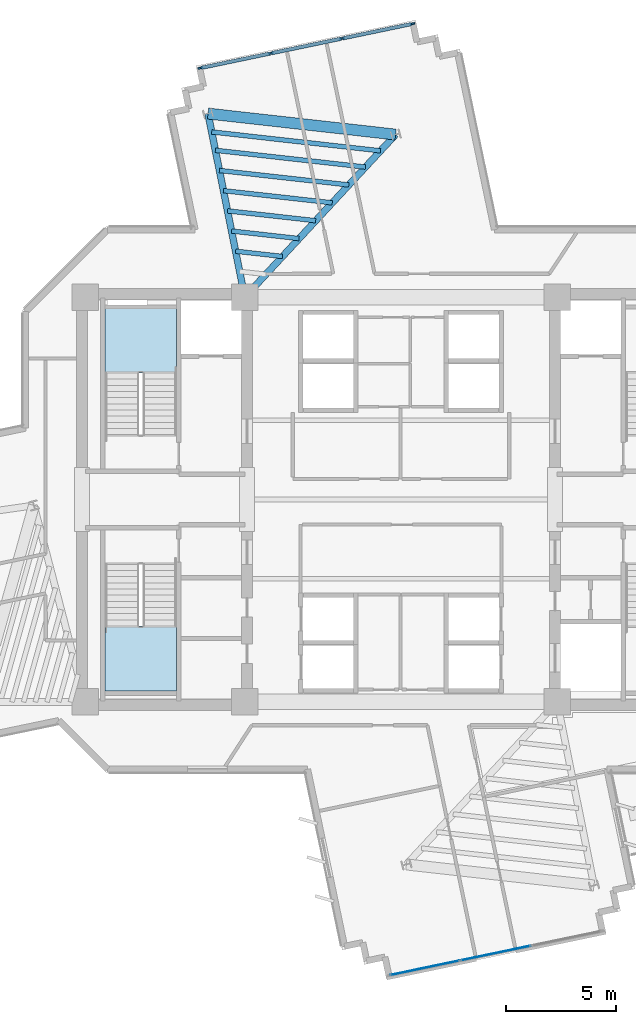
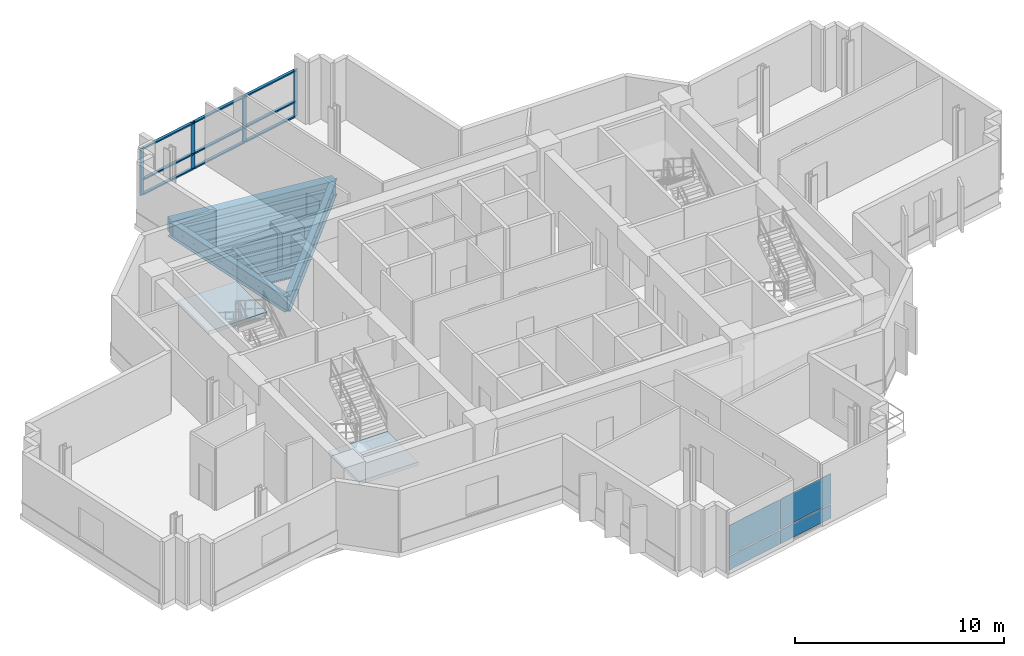
# One storey, part 5 of 14: 13 members, 10 beams, 4 plates, 2 slabs, 4 elements without a shape of their own.
"""IFC4 building model written with IfcOpenShell, lengths in metres."""

from ifc_helpers import new_model, si_unit, direction, frame, origin, origin_2d, place, context, subcontext, project, spatial, polyline, rectangle, i_section, outline, extrude, source, transform, mapped, material, layer, layer_set, material_profile, profile_set, type_object, element, aggregate, save


model = new_model("IFC4")

# Units and contexts
model_context = context("Model", 3, precision=1e-05, world=origin(), true_north=direction((0.0, 1.0)))
body_context = subcontext(model_context, "Body", "Model", "MODEL_VIEW")
ifc_project = project(units=[si_unit("LENGTHUNIT", "METRE"), si_unit("AREAUNIT", "SQUARE_METRE"), si_unit("VOLUMEUNIT", "CUBIC_METRE"), si_unit("PLANEANGLEUNIT", "RADIAN"), si_unit("MASSUNIT", "GRAM", prefix="KILO")], contexts=[model_context])

# Site, building, storey
site_placement = place(None, origin())
site = spatial("IfcSite", under=ifc_project, at=site_placement, CompositionType="ELEMENT")
building_placement = place(site_placement, origin())
building = spatial("IfcBuilding", under=site, at=building_placement, Name="Zahravan Cultural Tower", CompositionType="ELEMENT")
storey_placement = place(building_placement, frame((0.0, 0.0, 166.800048828125)))
storey = spatial("IfcBuildingStorey", under=building, at=storey_placement, Name="L38", CompositionType="ELEMENT", Elevation=166.800048828125)

# Beams
ifc_material_1 = material(Name="Steel ASTM A992 Grade 50", Category="steel")
ifc_material_profile_1 = material_profile(ifc_material_1, i_section(OverallWidth=0.304931640625, OverallDepth=0.9189453125, WebThickness=0.017333984375, FlangeThickness=0.02783203125, FilletRadius=0.02392578125, at=origin_2d()), Name="W36X170")
ifc_profile_set_1 = profile_set([ifc_material_profile_1], Name="Steel ASTM A992 Grade 50")
beam_type_1 = type_object("IfcBeamType", Name="BM-G-W36X170", PredefinedType="BEAM", material=ifc_profile_set_1)
shared_shape_1 = source(origin(), body_context, "Body", "SweptSolid", [
    extrude(i_section(OverallWidth=0.304931640625, OverallDepth=0.9189453125, WebThickness=0.017333984375, FlangeThickness=0.02783203125, FilletRadius=0.02392578125, at=origin_2d()), origin(), (0.0, 0.0, 1.0), 10.077880859375),
])
beam_1_placement = place(storey_placement, frame((28.89990234375, 36.199951171875, -0.739501953125), z_axis=(0.680170435587, 0.733054007938, 0.0), x_axis=(-0.733054007938, 0.680170435587, 0.0)))
element("IfcBeam", 1, at=beam_1_placement, inside=storey, type_object=beam_type_1, Name="L38 Beam BG-L38-13", PredefinedType="BEAM", context=body_context, shape_type="MappedRepresentation", body=[
    mapped(shared_shape_1, transform((0.0, 0.0, 0.0), x_axis=(1.0, 0.0, 0.0), y_axis=(0.0, 1.0, 0.0), z_axis=(0.0, 0.0, 1.0), scale=1.0)),
])
shared_shape_2 = source(origin(), body_context, "Body", "SweptSolid", [
    extrude(i_section(OverallWidth=0.304931640625, OverallDepth=0.9189453125, WebThickness=0.017333984375, FlangeThickness=0.02783203125, FilletRadius=0.02392578125, at=origin_2d()), origin(), (0.0, 0.0, 1.0), 8.50732421875),
])
beam_2_placement = place(storey_placement, frame((28.89990234375, 36.199951171875, -0.739501953125), z_axis=(-0.196524514012, 0.980498911469, 0.0), x_axis=(-0.980498911469, -0.196524514012, 0.0)))
element("IfcBeam", 2, at=beam_2_placement, inside=storey, type_object=beam_type_1, Name="L38 Beam BG-L38-14", PredefinedType="BEAM", context=body_context, shape_type="MappedRepresentation", body=[
    mapped(shared_shape_2, transform((0.0, 0.0, 0.0), x_axis=(1.0, 0.0, 0.0), y_axis=(0.0, 1.0, 0.0), z_axis=(0.0, 0.0, 1.0), scale=1.0)),
])
ifc_material_2 = material(Name="Concrete C50/60", Category="concrete")
ifc_material_profile_2 = material_profile(ifc_material_2, rectangle(XDim=0.5, YDim=0.85009765625, at=origin_2d()), Name="RC500X850")
ifc_profile_set_2 = profile_set([ifc_material_profile_2], Name="Concrete C50/60")
beam_type_2 = type_object("IfcBeamType", Name="BM-SP-RC500X850", PredefinedType="SPANDREL", material=ifc_profile_set_2)
shared_shape_3 = source(origin(), body_context, "Body", "SweptSolid", [
    extrude(rectangle(XDim=0.5, YDim=0.85009765625, at=origin_2d()), origin(), (0.0, 0.0, 1.0), 8.579833984375),
])
beam_3_placement = place(storey_placement, frame((35.754638671875, 43.587646484375, -0.705078125), z_axis=(-0.9938040105, 0.11114669907, 0.0), x_axis=(-0.11114669907, -0.9938040105, 0.0)))
element("IfcBeam", 3, at=beam_3_placement, inside=storey, type_object=beam_type_2, Name="L38 Beam SP-L38-22", PredefinedType="SPANDREL", context=body_context, shape_type="MappedRepresentation", body=[
    mapped(shared_shape_3, transform((0.0, 0.0, 0.0), x_axis=(1.0, 0.0, 0.0), y_axis=(0.0, 1.0, 0.0), z_axis=(0.0, 0.0, 1.0), scale=1.0)),
])
ifc_material_profile_3 = material_profile(ifc_material_1, i_section(OverallWidth=0.2099609375, OverallDepth=0.532958984375, WebThickness=0.01025390625, FlangeThickness=0.015625, FilletRadius=0.013916015625, at=origin_2d()), Name="W21X62")
ifc_profile_set_3 = profile_set([ifc_material_profile_3], Name="Steel ASTM A992 Grade 50")
beam_type_3 = type_object("IfcBeamType", Name="BM-J-W21X62", PredefinedType="JOIST", material=ifc_profile_set_3)
shared_shape_4 = source(origin(), body_context, "Body", "SweptSolid", [
    extrude(i_section(OverallWidth=0.2099609375, OverallDepth=0.532958984375, WebThickness=0.01025390625, FlangeThickness=0.015625, FilletRadius=0.013916015625, at=origin_2d()), origin(), (0.0, 0.0, 1.0), 2.144775390625),
])
beam_4_placement = place(storey_placement, frame((30.613525390625, 38.046875, -0.546630859375), z_axis=(-0.993797370806, 0.111206051, 0.0), x_axis=(-0.111206051, -0.993797370806, 0.0)))
element("IfcBeam", 4, at=beam_4_placement, inside=storey, type_object=beam_type_3, Name="L38 Beam BJ-L38-51", PredefinedType="JOIST", context=body_context, shape_type="MappedRepresentation", body=[
    mapped(shared_shape_4, transform((0.0, 0.0, 0.0), x_axis=(1.0, 0.0, 0.0), y_axis=(0.0, 1.0, 0.0), z_axis=(0.0, 0.0, 1.0), scale=1.0)),
])
shared_shape_5 = source(origin(), body_context, "Body", "SweptSolid", [
    extrude(i_section(OverallWidth=0.2099609375, OverallDepth=0.532958984375, WebThickness=0.01025390625, FlangeThickness=0.015625, FilletRadius=0.013916015625, at=origin_2d()), origin(), (0.0, 0.0, 1.0), 3.088623046875),
])
beam_5_placement = place(storey_placement, frame((31.36767578125, 38.859619140625, -0.546630859375), z_axis=(-0.993805407368, 0.111134208443, 0.0), x_axis=(-0.111134208443, -0.993805407368, 0.0)))
element("IfcBeam", 5, at=beam_5_placement, inside=storey, type_object=beam_type_3, Name="L38 Beam BJ-L38-52", PredefinedType="JOIST", context=body_context, shape_type="MappedRepresentation", body=[
    mapped(shared_shape_5, transform((0.0, 0.0, 0.0), x_axis=(1.0, 0.0, 0.0), y_axis=(0.0, 1.0, 0.0), z_axis=(0.0, 0.0, 1.0), scale=1.0)),
])
shared_shape_6 = source(origin(), body_context, "Body", "SweptSolid", [
    extrude(i_section(OverallWidth=0.2099609375, OverallDepth=0.532958984375, WebThickness=0.01025390625, FlangeThickness=0.015625, FilletRadius=0.013916015625, at=origin_2d()), origin(), (0.0, 0.0, 1.0), 4.0322265625),
])
beam_6_placement = place(storey_placement, frame((32.12158203125, 39.672119140625, -0.546630859375), z_axis=(-0.993802245601, 0.11116247855, 0.0), x_axis=(-0.11116247855, -0.993802245601, 0.0)))
element("IfcBeam", 6, at=beam_6_placement, inside=storey, type_object=beam_type_3, Name="L38 Beam BJ-L38-53", PredefinedType="JOIST", context=body_context, shape_type="MappedRepresentation", body=[
    mapped(shared_shape_6, transform((0.0, 0.0, 0.0), x_axis=(1.0, 0.0, 0.0), y_axis=(0.0, 1.0, 0.0), z_axis=(0.0, 0.0, 1.0), scale=1.0)),
])
shared_shape_7 = source(origin(), body_context, "Body", "SweptSolid", [
    extrude(i_section(OverallWidth=0.2099609375, OverallDepth=0.532958984375, WebThickness=0.01025390625, FlangeThickness=0.015625, FilletRadius=0.013916015625, at=origin_2d()), origin(), (0.0, 0.0, 1.0), 4.97607421875),
])
beam_7_placement = place(storey_placement, frame((32.875732421875, 40.48486328125, -0.546630859375), z_axis=(-0.993806308517, 0.111126149723, 0.0), x_axis=(-0.111126149723, -0.993806308517, 0.0)))
element("IfcBeam", 7, at=beam_7_placement, inside=storey, type_object=beam_type_3, Name="L38 Beam BJ-L38-54", PredefinedType="JOIST", context=body_context, shape_type="MappedRepresentation", body=[
    mapped(shared_shape_7, transform((0.0, 0.0, 0.0), x_axis=(1.0, 0.0, 0.0), y_axis=(0.0, 1.0, 0.0), z_axis=(0.0, 0.0, 1.0), scale=1.0)),
])
shared_shape_8 = source(origin(), body_context, "Body", "SweptSolid", [
    extrude(i_section(OverallWidth=0.2099609375, OverallDepth=0.532958984375, WebThickness=0.01025390625, FlangeThickness=0.015625, FilletRadius=0.013916015625, at=origin_2d()), origin(), (0.0, 0.0, 1.0), 5.919921875),
])
beam_8_placement = place(storey_placement, frame((33.629638671875, 41.29736328125, -0.546630859375), z_axis=(-0.993804520866, 0.111142135602, 0.0), x_axis=(-0.111142135602, -0.993804520866, 0.0)))
element("IfcBeam", 8, at=beam_8_placement, inside=storey, type_object=beam_type_3, Name="L38 Beam BJ-L38-55", PredefinedType="JOIST", context=body_context, shape_type="MappedRepresentation", body=[
    mapped(shared_shape_8, transform((0.0, 0.0, 0.0), x_axis=(1.0, 0.0, 0.0), y_axis=(0.0, 1.0, 0.0), z_axis=(0.0, 0.0, 1.0), scale=1.0)),
])
shared_shape_9 = source(origin(), body_context, "Body", "SweptSolid", [
    extrude(i_section(OverallWidth=0.2099609375, OverallDepth=0.532958984375, WebThickness=0.01025390625, FlangeThickness=0.015625, FilletRadius=0.013916015625, at=origin_2d()), origin(), (0.0, 0.0, 1.0), 6.86376953125),
])
beam_9_placement = place(storey_placement, frame((34.3837890625, 42.110107421875, -0.546630859375), z_axis=(-0.993803224695, 0.111153725024, 0.0), x_axis=(-0.111153725024, -0.993803224695, 0.0)))
element("IfcBeam", 9, at=beam_9_placement, inside=storey, type_object=beam_type_3, Name="L38 Beam BJ-L38-56", PredefinedType="JOIST", context=body_context, shape_type="MappedRepresentation", body=[
    mapped(shared_shape_9, transform((0.0, 0.0, 0.0), x_axis=(1.0, 0.0, 0.0), y_axis=(0.0, 1.0, 0.0), z_axis=(0.0, 0.0, 1.0), scale=1.0)),
])
shared_shape_10 = source(origin(), body_context, "Body", "SweptSolid", [
    extrude(i_section(OverallWidth=0.2099609375, OverallDepth=0.532958984375, WebThickness=0.01025390625, FlangeThickness=0.015625, FilletRadius=0.013916015625, at=origin_2d()), origin(), (0.0, 0.0, 1.0), 7.7216796875),
])
beam_10_placement = place(storey_placement, frame((35.069091796875, 42.848876953125, -0.546630859375), z_axis=(-0.993805212115, 0.11113595446, 0.0), x_axis=(-0.11113595446, -0.993805212115, 0.0)))
element("IfcBeam", 10, at=beam_10_placement, inside=storey, type_object=beam_type_3, Name="L38 Beam BJ-L38-57", PredefinedType="JOIST", context=body_context, shape_type="MappedRepresentation", body=[
    mapped(shared_shape_10, transform((0.0, 0.0, 0.0), x_axis=(1.0, 0.0, 0.0), y_axis=(0.0, 1.0, 0.0), z_axis=(0.0, 0.0, 1.0), scale=1.0)),
])

# Curtain wall, members
ifc_material_3 = material(Name="Anodised bronze-aluminium mullion", Category="aluminium")
ifc_layer_1 = layer(ifc_material_3, 0.219970703125)
ifc_layer_set_1 = layer_set([ifc_layer_1], Name="Anodised bronze-aluminium mullion")
curtain_wall_type_1 = type_object("IfcCurtainWallType", Name="CW-SYS-1", PredefinedType="USERDEFINED", material=ifc_layer_set_1)
curtain_wall_1_placement = place(storey_placement, origin())
curtain_wall_1 = element("IfcCurtainWall", 11, at=curtain_wall_1_placement, inside=storey, type_object=curtain_wall_type_1, Name="L38 Recessed Curtain Wall CW-1.2", ObjectType="RECESSED GLAZING", PredefinedType="USERDEFINED")
ifc_material_profile_4 = material_profile(ifc_material_3, rectangle(XDim=0.159912109375, YDim=0.080078125, at=origin_2d()), Name="AL-T80X160")
ifc_profile_set_4 = profile_set([ifc_material_profile_4], Name="Anodised bronze-aluminium mullion")
member_type_1 = type_object("IfcMemberType", Name="CWT-CW-1", PredefinedType="USERDEFINED", material=ifc_profile_set_4)
shared_shape_11 = source(origin(), body_context, "Body", "SweptSolid", [
    extrude(rectangle(XDim=0.159912109375, YDim=0.080078125, at=origin_2d()), origin(), (0.0, 0.0, 1.0), 3.186767578125),
])
member_1_placement = place(storey_placement, frame((26.923095703125, 46.6201171875, 0.0400390625), z_axis=(0.978935780904, 0.204168403202, 0.0), x_axis=(-0.204168403202, 0.978935780904, 0.0)))
member_1 = element("IfcMember", 12, at=member_1_placement, type_object=member_type_1, Name="CW-1 transom 1.1", ObjectType="TRANSOM", PredefinedType="USERDEFINED", context=body_context, shape_type="MappedRepresentation", body=[
    mapped(shared_shape_11, transform((0.0, 0.0, 0.0), x_axis=(1.0, 0.0, 0.0), y_axis=(0.0, 1.0, 0.0), z_axis=(0.0, 0.0, 1.0), scale=1.0)),
])
member_2_placement = place(storey_placement, frame((26.923095703125, 46.6201171875, 0.89990234375), z_axis=(0.978935780904, 0.204168403202, 0.0), x_axis=(-0.204168403202, 0.978935780904, 0.0)))
member_2 = element("IfcMember", 13, at=member_2_placement, type_object=member_type_1, Name="CW-1 transom 1.2", ObjectType="TRANSOM", PredefinedType="USERDEFINED", context=body_context, shape_type="MappedRepresentation", body=[
    mapped(shared_shape_11, transform((0.0, 0.0, 0.0), x_axis=(1.0, 0.0, 0.0), y_axis=(0.0, 1.0, 0.0), z_axis=(0.0, 0.0, 1.0), scale=1.0)),
])
member_3_placement = place(storey_placement, frame((26.923095703125, 46.6201171875, 2.699951171875), z_axis=(0.978935780904, 0.204168403202, 0.0), x_axis=(-0.204168403202, 0.978935780904, 0.0)))
member_3 = element("IfcMember", 14, at=member_3_placement, type_object=member_type_1, Name="CW-1 transom 1.3", ObjectType="TRANSOM", PredefinedType="USERDEFINED", context=body_context, shape_type="MappedRepresentation", body=[
    mapped(shared_shape_11, transform((0.0, 0.0, 0.0), x_axis=(1.0, 0.0, 0.0), y_axis=(0.0, 1.0, 0.0), z_axis=(0.0, 0.0, 1.0), scale=1.0)),
])
member_4_placement = place(storey_placement, frame((33.358154296875, 47.962158203125, 0.0400390625), z_axis=(0.978935780904, 0.204168403202, 0.0), x_axis=(-0.204168403202, 0.978935780904, 0.0)))
member_4 = element("IfcMember", 15, at=member_4_placement, type_object=member_type_1, Name="CW-1 transom 3.1", ObjectType="TRANSOM", PredefinedType="USERDEFINED", context=body_context, shape_type="MappedRepresentation", body=[
    mapped(shared_shape_11, transform((0.0, 0.0, 0.0), x_axis=(1.0, 0.0, 0.0), y_axis=(0.0, 1.0, 0.0), z_axis=(0.0, 0.0, 1.0), scale=1.0)),
])
member_5_placement = place(storey_placement, frame((33.358154296875, 47.962158203125, 0.89990234375), z_axis=(0.978935780904, 0.204168403202, 0.0), x_axis=(-0.204168403202, 0.978935780904, 0.0)))
member_5 = element("IfcMember", 16, at=member_5_placement, type_object=member_type_1, Name="CW-1 transom 3.2", ObjectType="TRANSOM", PredefinedType="USERDEFINED", context=body_context, shape_type="MappedRepresentation", body=[
    mapped(shared_shape_11, transform((0.0, 0.0, 0.0), x_axis=(1.0, 0.0, 0.0), y_axis=(0.0, 1.0, 0.0), z_axis=(0.0, 0.0, 1.0), scale=1.0)),
])
member_6_placement = place(storey_placement, frame((33.358154296875, 47.962158203125, 2.699951171875), z_axis=(0.978935780904, 0.204168403202, 0.0), x_axis=(-0.204168403202, 0.978935780904, 0.0)))
member_6 = element("IfcMember", 17, at=member_6_placement, type_object=member_type_1, Name="CW-1 transom 3.3", ObjectType="TRANSOM", PredefinedType="USERDEFINED", context=body_context, shape_type="MappedRepresentation", body=[
    mapped(shared_shape_11, transform((0.0, 0.0, 0.0), x_axis=(1.0, 0.0, 0.0), y_axis=(0.0, 1.0, 0.0), z_axis=(0.0, 0.0, 1.0), scale=1.0)),
])
ifc_material_profile_5 = material_profile(ifc_material_3, rectangle(XDim=0.080078125, YDim=0.219970703125, at=origin_2d()), Name="AL-M80X220")
ifc_profile_set_5 = profile_set([ifc_material_profile_5], Name="Anodised bronze-aluminium mullion")
member_type_2 = type_object("IfcMemberType", Name="CWM-CW-1", PredefinedType="MULLION", material=ifc_profile_set_5)
shared_shape_12 = source(origin(), body_context, "Body", "SweptSolid", [
    extrude(rectangle(XDim=0.080078125, YDim=0.219970703125, at=origin_2d()), origin(), (0.0, 0.0, 1.0), 2.739990234375),
])
member_7_placement = place(storey_placement, frame((26.884033203125, 46.612060546875, 0.0), z_axis=(0.0, 0.0, 1.0), x_axis=(-0.204162369415, 0.978937039301, 0.0)))
member_7 = element("IfcMember", 18, at=member_7_placement, type_object=member_type_2, Name="CW-1 mullion 1", PredefinedType="MULLION", context=body_context, shape_type="MappedRepresentation", body=[
    mapped(shared_shape_12, transform((0.0, 0.0, 0.0), x_axis=(1.0, 0.0, 0.0), y_axis=(0.0, 1.0, 0.0), z_axis=(0.0, 0.0, 1.0), scale=1.0)),
])
member_8_placement = place(storey_placement, frame((30.08203125, 47.27880859375, 0.0), z_axis=(0.0, 0.0, 1.0), x_axis=(-0.204162369415, 0.978937039301, 0.0)))
member_8 = element("IfcMember", 19, at=member_8_placement, type_object=member_type_2, Name="CW-1 mullion 2", PredefinedType="MULLION", context=body_context, shape_type="MappedRepresentation", body=[
    mapped(shared_shape_12, transform((0.0, 0.0, 0.0), x_axis=(1.0, 0.0, 0.0), y_axis=(0.0, 1.0, 0.0), z_axis=(0.0, 0.0, 1.0), scale=1.0)),
])
member_9_placement = place(storey_placement, frame((33.31884765625, 47.9541015625, 0.0), z_axis=(0.0, 0.0, 1.0), x_axis=(-0.204162369415, 0.978937039301, 0.0)))
member_9 = element("IfcMember", 20, at=member_9_placement, type_object=member_type_2, Name="CW-1 mullion 3", PredefinedType="MULLION", context=body_context, shape_type="MappedRepresentation", body=[
    mapped(shared_shape_12, transform((0.0, 0.0, 0.0), x_axis=(1.0, 0.0, 0.0), y_axis=(0.0, 1.0, 0.0), z_axis=(0.0, 0.0, 1.0), scale=1.0)),
])
member_10_placement = place(storey_placement, frame((36.516845703125, 48.620849609375, 0.0), z_axis=(0.0, 0.0, 1.0), x_axis=(-0.204162369415, 0.978937039301, 0.0)))
member_10 = element("IfcMember", 21, at=member_10_placement, type_object=member_type_2, Name="CW-1 mullion 4", PredefinedType="MULLION", context=body_context, shape_type="MappedRepresentation", body=[
    mapped(shared_shape_12, transform((0.0, 0.0, 0.0), x_axis=(1.0, 0.0, 0.0), y_axis=(0.0, 1.0, 0.0), z_axis=(0.0, 0.0, 1.0), scale=1.0)),
])
shared_shape_13 = source(origin(), body_context, "Body", "SweptSolid", [
    extrude(rectangle(XDim=0.159912109375, YDim=0.080078125, at=origin_2d()), origin(), (0.0, 0.0, 1.0), 3.2265625),
])
member_11_placement = place(storey_placement, frame((30.12109375, 47.287109375, 0.0400390625), z_axis=(0.978941373772, 0.204141584977, 0.0), x_axis=(-0.204141584977, 0.978941373772, 0.0)))
member_11 = element("IfcMember", 22, at=member_11_placement, type_object=member_type_1, Name="CW-1 transom 2.1", ObjectType="TRANSOM", PredefinedType="USERDEFINED", context=body_context, shape_type="MappedRepresentation", body=[
    mapped(shared_shape_13, transform((0.0, 0.0, 0.0), x_axis=(1.0, 0.0, 0.0), y_axis=(0.0, 1.0, 0.0), z_axis=(0.0, 0.0, 1.0), scale=1.0)),
])
member_12_placement = place(storey_placement, frame((30.12109375, 47.287109375, 0.89990234375), z_axis=(0.978941373772, 0.204141584977, 0.0), x_axis=(-0.204141584977, 0.978941373772, 0.0)))
member_12 = element("IfcMember", 23, at=member_12_placement, type_object=member_type_1, Name="CW-1 transom 2.2", ObjectType="TRANSOM", PredefinedType="USERDEFINED", context=body_context, shape_type="MappedRepresentation", body=[
    mapped(shared_shape_13, transform((0.0, 0.0, 0.0), x_axis=(1.0, 0.0, 0.0), y_axis=(0.0, 1.0, 0.0), z_axis=(0.0, 0.0, 1.0), scale=1.0)),
])
member_13_placement = place(storey_placement, frame((30.12109375, 47.287109375, 2.699951171875), z_axis=(0.978941373772, 0.204141584977, 0.0), x_axis=(-0.204141584977, 0.978941373772, 0.0)))
member_13 = element("IfcMember", 24, at=member_13_placement, type_object=member_type_1, Name="CW-1 transom 2.3", ObjectType="TRANSOM", PredefinedType="USERDEFINED", context=body_context, shape_type="MappedRepresentation", body=[
    mapped(shared_shape_13, transform((0.0, 0.0, 0.0), x_axis=(1.0, 0.0, 0.0), y_axis=(0.0, 1.0, 0.0), z_axis=(0.0, 0.0, 1.0), scale=1.0)),
])
aggregate(curtain_wall_1, [member_7, member_8, member_9, member_10, member_1, member_2, member_3, member_11, member_12, member_13, member_4, member_5, member_6])

# Stair, slab
ifc_material_4 = material(Name="Concrete C45/55", Category="concrete")
stair_type = type_object("IfcStairType", Name="STR-DL-1550-390", PredefinedType="HALF_TURN_STAIR", material=ifc_material_4)
stair_1_placement = place(storey_placement, origin())
stair_1 = element("IfcStair", 25, at=stair_1_placement, inside=storey, type_object=stair_type, Name="L38 West Core North Exit Stair ST-W1", PredefinedType="HALF_TURN_STAIR")
ifc_layer_2 = layer(ifc_material_4, 0.199951171875)
ifc_layer_set_2 = layer_set([ifc_layer_2], Name="Concrete C45/55")
slab_type = type_object("IfcSlabType", Name="SL-STAIR-LND200", PredefinedType="LANDING", material=ifc_layer_set_2)
slab_1_placement = place(storey_placement, frame((0.0, 0.0, 1.75)))
slab_1 = element("IfcSlab", 26, at=slab_1_placement, type_object=slab_type, Name="ST-W1 landing 1", PredefinedType="LANDING", context=body_context, shape_type="SweptSolid", body=[
    extrude(outline(polyline([(25.800048828125, 32.75), (25.800048828125, 35.699951171875), (22.550048828125, 35.699951171875), (22.550048828125, 32.75), (25.800048828125, 32.75)])), origin(), (0.0, 0.0, 1.0), 0.199951171875),
])
aggregate(stair_1, [slab_1])

stair_2_placement = place(storey_placement, origin())
stair_2 = element("IfcStair", 27, at=stair_2_placement, inside=storey, type_object=stair_type, Name="L38 West Core South Exit Stair ST-W2", PredefinedType="HALF_TURN_STAIR")
slab_2_placement = place(storey_placement, frame((0.0, 0.0, 1.75)))
slab_2 = element("IfcSlab", 28, at=slab_2_placement, type_object=slab_type, Name="ST-W2 landing 1", PredefinedType="LANDING", context=body_context, shape_type="SweptSolid", body=[
    extrude(outline(polyline([(22.550048828125, 21.25), (22.550048828125, 18.300048828125), (25.800048828125, 18.300048828125), (25.800048828125, 21.25), (22.550048828125, 21.25)])), origin(), (0.0, 0.0, 1.0), 0.199951171875),
])
aggregate(stair_2, [slab_2])

# Curtain wall, plates
ifc_layer_3 = layer(ifc_material_3, 0.1650390625)
ifc_layer_set_3 = layer_set([ifc_layer_3], Name="Anodised bronze-aluminium mullion")
curtain_wall_type_2 = type_object("IfcCurtainWallType", Name="CW-SYS-4", PredefinedType="USERDEFINED", material=ifc_layer_set_3)
curtain_wall_2_placement = place(storey_placement, origin())
curtain_wall_2 = element("IfcCurtainWall", 29, at=curtain_wall_2_placement, inside=storey, type_object=curtain_wall_type_2, Name="L38 Recessed Curtain Wall CW-4.1", ObjectType="RECESSED GLAZING", PredefinedType="USERDEFINED")
ifc_material_5 = material(Name="Low-E solar-control double glazing", Category="glass")
ifc_layer_4 = layer(ifc_material_5, 0.02587890625)
ifc_layer_set_4 = layer_set([ifc_layer_4], Name="Low-E solar-control double glazing")
plate_type = type_object("IfcPlateType", Name="CWP-CW-4", PredefinedType="CURTAIN_PANEL", material=ifc_layer_set_4)
shared_shape_14 = source(origin(), body_context, "Body", "SweptSolid", [
    extrude(rectangle(XDim=3.209228515625, YDim=0.02587890625, at=origin_2d()), origin(), (0.0, 0.0, 1.0), 0.802490234375),
])
plate_1_placement = place(storey_placement, frame((37.078369140625, 5.711669921875, 0.06494140625), z_axis=(0.0, 0.0, 1.0), x_axis=(-0.978937039301, -0.204162369415, 0.0)))
plate_1 = element("IfcPlate", 30, at=plate_1_placement, type_object=plate_type, Name="CW-4 panel 3.1", PredefinedType="CURTAIN_PANEL", context=body_context, shape_type="MappedRepresentation", body=[
    mapped(shared_shape_14, transform((0.0, 0.0, 0.0), x_axis=(1.0, 0.0, 0.0), y_axis=(0.0, 1.0, 0.0), z_axis=(0.0, 0.0, 1.0), scale=1.0)),
])
shared_shape_15 = source(origin(), body_context, "Body", "SweptSolid", [
    extrude(rectangle(XDim=3.209228515625, YDim=0.02587890625, at=origin_2d()), origin(), (0.0, 0.0, 1.0), 1.742431640625),
])
plate_2_placement = place(storey_placement, frame((37.078369140625, 5.711669921875, 0.9326171875), z_axis=(0.0, 0.0, 1.0), x_axis=(-0.978937039301, -0.204162369415, 0.0)))
plate_2 = element("IfcPlate", 31, at=plate_2_placement, type_object=plate_type, Name="CW-4 panel 3.2", PredefinedType="CURTAIN_PANEL", context=body_context, shape_type="MappedRepresentation", body=[
    mapped(shared_shape_15, transform((0.0, 0.0, 0.0), x_axis=(1.0, 0.0, 0.0), y_axis=(0.0, 1.0, 0.0), z_axis=(0.0, 0.0, 1.0), scale=1.0)),
])
shared_shape_16 = source(origin(), body_context, "Body", "SweptSolid", [
    extrude(rectangle(XDim=3.24169921875, YDim=0.02587890625, at=origin_2d()), origin(), (0.0, 0.0, 1.0), 0.802490234375),
])
plate_3_placement = place(storey_placement, frame((40.299560546875, 6.383544921875, 0.06494140625), z_axis=(0.0, 0.0, 1.0), x_axis=(-0.978937039301, -0.204162369415, 0.0)))
plate_3 = element("IfcPlate", 32, at=plate_3_placement, type_object=plate_type, Name="CW-4 panel 2.1", PredefinedType="CURTAIN_PANEL", context=body_context, shape_type="MappedRepresentation", body=[
    mapped(shared_shape_16, transform((0.0, 0.0, 0.0), x_axis=(1.0, 0.0, 0.0), y_axis=(0.0, 1.0, 0.0), z_axis=(0.0, 0.0, 1.0), scale=1.0)),
])
shared_shape_17 = source(origin(), body_context, "Body", "SweptSolid", [
    extrude(rectangle(XDim=3.24169921875, YDim=0.02587890625, at=origin_2d()), origin(), (0.0, 0.0, 1.0), 1.742431640625),
])
plate_4_placement = place(storey_placement, frame((40.299560546875, 6.383544921875, 0.9326171875), z_axis=(0.0, 0.0, 1.0), x_axis=(-0.978937039301, -0.204162369415, 0.0)))
plate_4 = element("IfcPlate", 33, at=plate_4_placement, type_object=plate_type, Name="CW-4 panel 2.2", PredefinedType="CURTAIN_PANEL", context=body_context, shape_type="MappedRepresentation", body=[
    mapped(shared_shape_17, transform((0.0, 0.0, 0.0), x_axis=(1.0, 0.0, 0.0), y_axis=(0.0, 1.0, 0.0), z_axis=(0.0, 0.0, 1.0), scale=1.0)),
])
aggregate(curtain_wall_2, [plate_3, plate_4, plate_1, plate_2])

save(model, "model.ifc")
